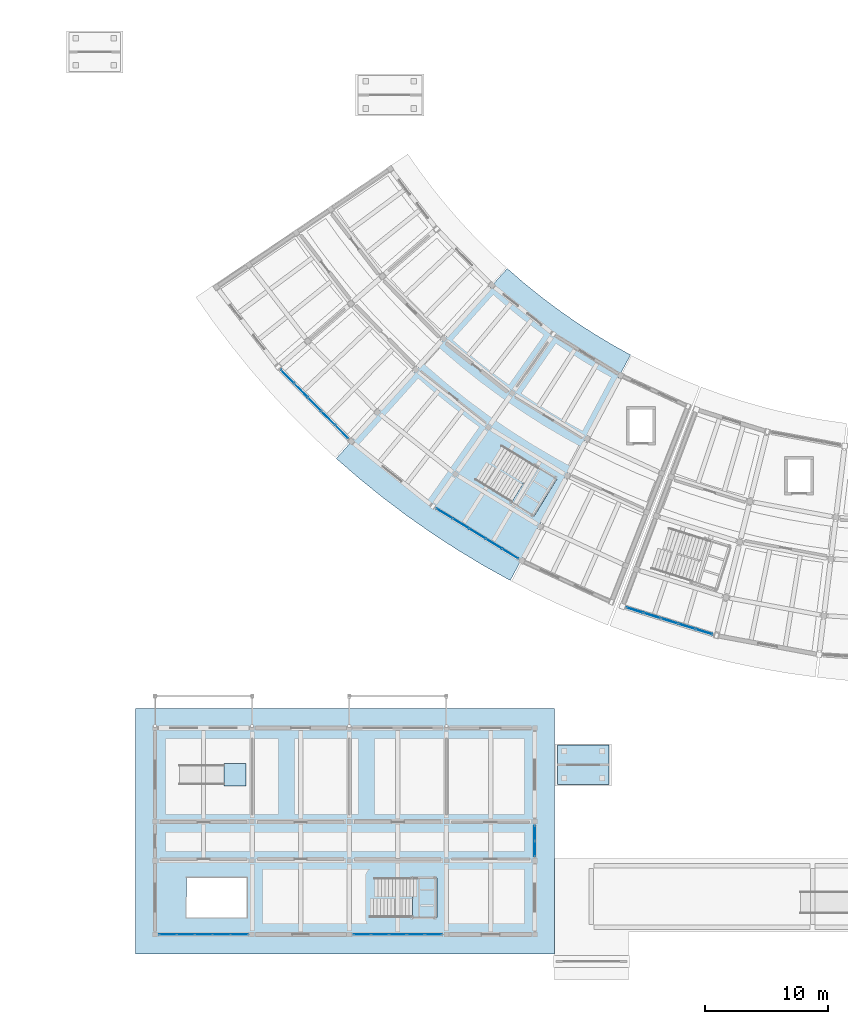
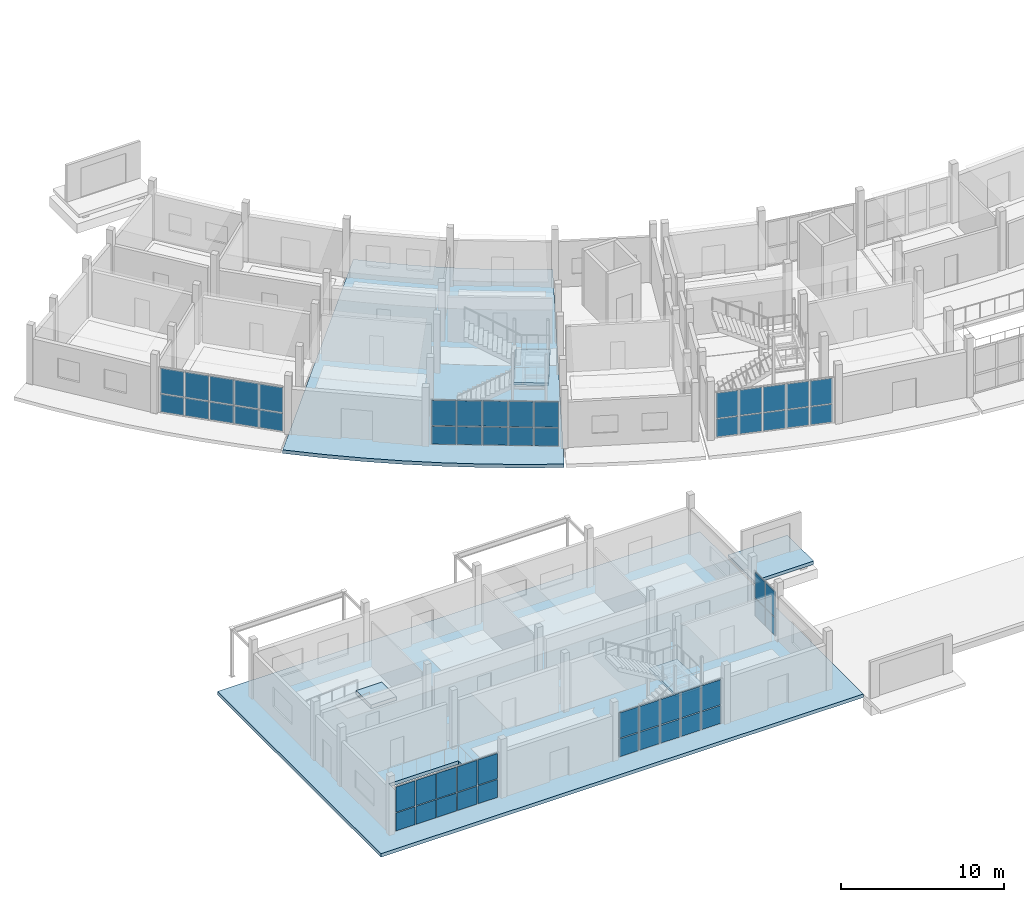
# One storey, part 50 of 92: 54 plates, 6 slabs, 8 elements without a shape of their own.
"""IFC4 building model written with IfcOpenShell, lengths in metres."""

from ifc_helpers import new_model, si_unit, direction, frame, origin, origin_2d, place, context, subcontext, project, spatial, polyline, rectangle, outline, extrude, material, layer, layer_set, type_object, element, aggregate, save


model = new_model("IFC4")

# Units and contexts
model_context = context("Model", 3, precision=1e-05, world=origin(), true_north=direction((0.0, 1.0)))
body_context = subcontext(model_context, "Body", "Model", "MODEL_VIEW")
ifc_project = project(units=[si_unit("LENGTHUNIT", "METRE"), si_unit("AREAUNIT", "SQUARE_METRE"), si_unit("VOLUMEUNIT", "CUBIC_METRE"), si_unit("PLANEANGLEUNIT", "RADIAN"), si_unit("MASSUNIT", "GRAM", prefix="KILO")], contexts=[model_context])

# Site, building, storey
site_placement = place(None, origin())
site = spatial("IfcSite", under=ifc_project, at=site_placement, CompositionType="ELEMENT")
building_placement = place(site_placement, origin())
building = spatial("IfcBuilding", under=site, at=building_placement, Name="Caldaven Crescent School", CompositionType="ELEMENT")
storey_placement = place(building_placement, origin())
storey = spatial("IfcBuildingStorey", under=building, at=storey_placement, Name="L00", CompositionType="ELEMENT", Elevation=0.0)

# Curtain wall, plates
ifc_material_1 = material(Name="Anodised aluminium AA 6063-T6 and low-E double glazing", Category="aluminium")
ifc_layer_1 = layer(ifc_material_1, 0.169921875)
ifc_layer_set_1 = layer_set([ifc_layer_1], Name="Anodised aluminium AA 6063-T6 and low-E double glazing")
curtain_wall_type_1 = type_object("IfcCurtainWallType", Name="CW-SYS1", PredefinedType="NOTDEFINED", material=ifc_layer_set_1)
curtain_wall_1_placement = place(storey_placement, origin())
curtain_wall_1 = element("IfcCurtainWall", 1, at=curtain_wall_1_placement, inside=storey, type_object=curtain_wall_type_1, Name="CW-L00-105", PredefinedType="NOTDEFINED")
ifc_material_2 = material(Name="Tempered low-E double glazing IGU", Category="glass")
ifc_layer_2 = layer(ifc_material_2, 0.0439453125)
ifc_layer_set_2 = layer_set([ifc_layer_2], Name="Tempered low-E double glazing IGU")
plate_type_1 = type_object("IfcPlateType", Name="PLT-CWP10", PredefinedType="CURTAIN_PANEL", material=ifc_layer_set_2)
plate_1_placement = place(storey_placement, frame((36.28466796875, 49.582763671875, 0.06982421875), z_axis=(0.0, 0.0, 1.0), x_axis=(0.700908932745, -0.713250774972, 0.0)))
plate_1 = element("IfcPlate", 2, at=plate_1_placement, type_object=plate_type_1, Name="CW1 panel 1.1", PredefinedType="CURTAIN_PANEL", context=body_context, shape_type="SweptSolid", body=[
    extrude(rectangle(XDim=1.48095703125, YDim=0.0439453125, at=origin_2d()), origin(), (0.0, 0.0, 1.0), 1.322998046875),
])
plate_2_placement = place(storey_placement, frame((36.28466796875, 49.582763671875, 1.462890625), z_axis=(0.0, 0.0, 1.0), x_axis=(0.700908932745, -0.713250774972, 0.0)))
plate_2 = element("IfcPlate", 3, at=plate_2_placement, type_object=plate_type_1, Name="CW1 panel 1.2", PredefinedType="CURTAIN_PANEL", context=body_context, shape_type="SweptSolid", body=[
    extrude(rectangle(XDim=1.48095703125, YDim=0.0439453125, at=origin_2d()), origin(), (0.0, 0.0, 1.0), 1.866943359375),
])
plate_3_placement = place(storey_placement, frame((37.379638671875, 48.468505859375, 0.06982421875), z_axis=(0.0, 0.0, 1.0), x_axis=(0.700908932745, -0.713250774972, 0.0)))
plate_3 = element("IfcPlate", 4, at=plate_3_placement, type_object=plate_type_1, Name="CW1 panel 2.1", PredefinedType="CURTAIN_PANEL", context=body_context, shape_type="SweptSolid", body=[
    extrude(rectangle(XDim=1.513427734375, YDim=0.0439453125, at=origin_2d()), origin(), (0.0, 0.0, 1.0), 1.322998046875),
])
plate_4_placement = place(storey_placement, frame((37.379638671875, 48.468505859375, 1.462890625), z_axis=(0.0, 0.0, 1.0), x_axis=(0.700908932745, -0.713250774972, 0.0)))
plate_4 = element("IfcPlate", 5, at=plate_4_placement, type_object=plate_type_1, Name="CW1 panel 2.2", PredefinedType="CURTAIN_PANEL", context=body_context, shape_type="SweptSolid", body=[
    extrude(rectangle(XDim=1.513427734375, YDim=0.0439453125, at=origin_2d()), origin(), (0.0, 0.0, 1.0), 1.866943359375),
])
plate_5_placement = place(storey_placement, frame((38.48583984375, 47.3427734375, 0.06982421875), z_axis=(0.0, 0.0, 1.0), x_axis=(0.700908932745, -0.713250774972, 0.0)))
plate_5 = element("IfcPlate", 6, at=plate_5_placement, type_object=plate_type_1, Name="CW1 panel 3.1", PredefinedType="CURTAIN_PANEL", context=body_context, shape_type="SweptSolid", body=[
    extrude(rectangle(XDim=1.513427734375, YDim=0.0439453125, at=origin_2d()), origin(), (0.0, 0.0, 1.0), 1.322998046875),
])
plate_6_placement = place(storey_placement, frame((38.48583984375, 47.3427734375, 1.462890625), z_axis=(0.0, 0.0, 1.0), x_axis=(0.700908932745, -0.713250774972, 0.0)))
plate_6 = element("IfcPlate", 7, at=plate_6_placement, type_object=plate_type_1, Name="CW1 panel 3.2", PredefinedType="CURTAIN_PANEL", context=body_context, shape_type="SweptSolid", body=[
    extrude(rectangle(XDim=1.513427734375, YDim=0.0439453125, at=origin_2d()), origin(), (0.0, 0.0, 1.0), 1.866943359375),
])
plate_7_placement = place(storey_placement, frame((39.59228515625, 46.216796875, 0.06982421875), z_axis=(0.0, 0.0, 1.0), x_axis=(0.700908932745, -0.713250774972, 0.0)))
plate_7 = element("IfcPlate", 8, at=plate_7_placement, type_object=plate_type_1, Name="CW1 panel 4.1", PredefinedType="CURTAIN_PANEL", context=body_context, shape_type="SweptSolid", body=[
    extrude(rectangle(XDim=1.513427734375, YDim=0.0439453125, at=origin_2d()), origin(), (0.0, 0.0, 1.0), 1.322998046875),
])
plate_8_placement = place(storey_placement, frame((39.59228515625, 46.216796875, 1.462890625), z_axis=(0.0, 0.0, 1.0), x_axis=(0.700908932745, -0.713250774972, 0.0)))
plate_8 = element("IfcPlate", 9, at=plate_8_placement, type_object=plate_type_1, Name="CW1 panel 4.2", PredefinedType="CURTAIN_PANEL", context=body_context, shape_type="SweptSolid", body=[
    extrude(rectangle(XDim=1.513427734375, YDim=0.0439453125, at=origin_2d()), origin(), (0.0, 0.0, 1.0), 1.866943359375),
])
plate_9_placement = place(storey_placement, frame((40.687255859375, 45.102783203125, 0.06982421875), z_axis=(0.0, 0.0, 1.0), x_axis=(0.700908932745, -0.713250774972, 0.0)))
plate_9 = element("IfcPlate", 10, at=plate_9_placement, type_object=plate_type_1, Name="CW1 panel 5.1", PredefinedType="CURTAIN_PANEL", context=body_context, shape_type="SweptSolid", body=[
    extrude(rectangle(XDim=1.48095703125, YDim=0.0439453125, at=origin_2d()), origin(), (0.0, 0.0, 1.0), 1.322998046875),
])
plate_10_placement = place(storey_placement, frame((40.687255859375, 45.102783203125, 1.462890625), z_axis=(0.0, 0.0, 1.0), x_axis=(0.700908932745, -0.713250774972, 0.0)))
plate_10 = element("IfcPlate", 11, at=plate_10_placement, type_object=plate_type_1, Name="CW1 panel 5.2", PredefinedType="CURTAIN_PANEL", context=body_context, shape_type="SweptSolid", body=[
    extrude(rectangle(XDim=1.48095703125, YDim=0.0439453125, at=origin_2d()), origin(), (0.0, 0.0, 1.0), 1.866943359375),
])
aggregate(curtain_wall_1, [plate_1, plate_2, plate_3, plate_4, plate_5, plate_6, plate_7, plate_8, plate_9, plate_10])

ifc_layer_3 = layer(ifc_material_1, 0.2099609375)
ifc_layer_set_3 = layer_set([ifc_layer_3], Name="Anodised aluminium AA 6063-T6 and low-E double glazing")
curtain_wall_type_2 = type_object("IfcCurtainWallType", Name="CW-SYS3", PredefinedType="NOTDEFINED", material=ifc_layer_set_3)
curtain_wall_2_placement = place(storey_placement, origin())
curtain_wall_2 = element("IfcCurtainWall", 12, at=curtain_wall_2_placement, inside=storey, type_object=curtain_wall_type_2, Name="CW-L00-106", PredefinedType="NOTDEFINED")
ifc_layer_4 = layer(ifc_material_2, 0.0458984375)
ifc_layer_set_4 = layer_set([ifc_layer_4], Name="Tempered low-E double glazing IGU")
plate_type_2 = type_object("IfcPlateType", Name="PLT-CWP11", PredefinedType="CURTAIN_PANEL", material=ifc_layer_set_4)
plate_11_placement = place(storey_placement, frame((49.04931640625, 38.450927734375, 0.06005859375), z_axis=(0.0, 0.0, 1.0), x_axis=(0.852639676124, -0.522499361435, 0.0)))
plate_11 = element("IfcPlate", 13, at=plate_11_placement, type_object=plate_type_2, Name="CW3 panel 1.1", PredefinedType="CURTAIN_PANEL", context=body_context, shape_type="SweptSolid", body=[
    extrude(rectangle(XDim=1.48828125, YDim=0.0458984375, at=origin_2d()), origin(), (0.0, 0.0, 1.0), 1.337890625),
])
plate_12_placement = place(storey_placement, frame((49.04931640625, 38.450927734375, 1.4580078125), z_axis=(0.0, 0.0, 1.0), x_axis=(0.852639676124, -0.522499361435, 0.0)))
plate_12 = element("IfcPlate", 14, at=plate_12_placement, type_object=plate_type_2, Name="CW3 panel 1.2", PredefinedType="CURTAIN_PANEL", context=body_context, shape_type="SweptSolid", body=[
    extrude(rectangle(XDim=1.48828125, YDim=0.0458984375, at=origin_2d()), origin(), (0.0, 0.0, 1.0), 1.882080078125),
])
plate_13_placement = place(storey_placement, frame((50.38232421875, 37.63427734375, 0.06005859375), z_axis=(0.0, 0.0, 1.0), x_axis=(0.852639676124, -0.522499361435, 0.0)))
plate_13 = element("IfcPlate", 15, at=plate_13_placement, type_object=plate_type_2, Name="CW3 panel 2.1", PredefinedType="CURTAIN_PANEL", context=body_context, shape_type="SweptSolid", body=[
    extrude(rectangle(XDim=1.518310546875, YDim=0.0458984375, at=origin_2d()), origin(), (0.0, 0.0, 1.0), 1.337890625),
])
plate_14_placement = place(storey_placement, frame((50.38232421875, 37.63427734375, 1.4580078125), z_axis=(0.0, 0.0, 1.0), x_axis=(0.852639676124, -0.522499361435, 0.0)))
plate_14 = element("IfcPlate", 16, at=plate_14_placement, type_object=plate_type_2, Name="CW3 panel 2.2", PredefinedType="CURTAIN_PANEL", context=body_context, shape_type="SweptSolid", body=[
    extrude(rectangle(XDim=1.518310546875, YDim=0.0458984375, at=origin_2d()), origin(), (0.0, 0.0, 1.0), 1.882080078125),
])
plate_15_placement = place(storey_placement, frame((51.72802734375, 36.8095703125, 0.06005859375), z_axis=(0.0, 0.0, 1.0), x_axis=(0.852639676124, -0.522499361435, 0.0)))
plate_15 = element("IfcPlate", 17, at=plate_15_placement, type_object=plate_type_2, Name="CW3 panel 3.1", PredefinedType="CURTAIN_PANEL", context=body_context, shape_type="SweptSolid", body=[
    extrude(rectangle(XDim=1.518310546875, YDim=0.0458984375, at=origin_2d()), origin(), (0.0, 0.0, 1.0), 1.337890625),
])
plate_16_placement = place(storey_placement, frame((51.72802734375, 36.8095703125, 1.4580078125), z_axis=(0.0, 0.0, 1.0), x_axis=(0.852639676124, -0.522499361435, 0.0)))
plate_16 = element("IfcPlate", 18, at=plate_16_placement, type_object=plate_type_2, Name="CW3 panel 3.2", PredefinedType="CURTAIN_PANEL", context=body_context, shape_type="SweptSolid", body=[
    extrude(rectangle(XDim=1.518310546875, YDim=0.0458984375, at=origin_2d()), origin(), (0.0, 0.0, 1.0), 1.882080078125),
])
plate_17_placement = place(storey_placement, frame((53.07373046875, 35.98486328125, 0.06005859375), z_axis=(0.0, 0.0, 1.0), x_axis=(0.852639676124, -0.522499361435, 0.0)))
plate_17 = element("IfcPlate", 19, at=plate_17_placement, type_object=plate_type_2, Name="CW3 panel 4.1", PredefinedType="CURTAIN_PANEL", context=body_context, shape_type="SweptSolid", body=[
    extrude(rectangle(XDim=1.518310546875, YDim=0.0458984375, at=origin_2d()), origin(), (0.0, 0.0, 1.0), 1.337890625),
])
plate_18_placement = place(storey_placement, frame((53.07373046875, 35.98486328125, 1.4580078125), z_axis=(0.0, 0.0, 1.0), x_axis=(0.852639676124, -0.522499361435, 0.0)))
plate_18 = element("IfcPlate", 20, at=plate_18_placement, type_object=plate_type_2, Name="CW3 panel 4.2", PredefinedType="CURTAIN_PANEL", context=body_context, shape_type="SweptSolid", body=[
    extrude(rectangle(XDim=1.518310546875, YDim=0.0458984375, at=origin_2d()), origin(), (0.0, 0.0, 1.0), 1.882080078125),
])
plate_19_placement = place(storey_placement, frame((54.40673828125, 35.16796875, 0.06005859375), z_axis=(0.0, 0.0, 1.0), x_axis=(0.852639676124, -0.522499361435, 0.0)))
plate_19 = element("IfcPlate", 21, at=plate_19_placement, type_object=plate_type_2, Name="CW3 panel 5.1", PredefinedType="CURTAIN_PANEL", context=body_context, shape_type="SweptSolid", body=[
    extrude(rectangle(XDim=1.48828125, YDim=0.0458984375, at=origin_2d()), origin(), (0.0, 0.0, 1.0), 1.337890625),
])
plate_20_placement = place(storey_placement, frame((54.40673828125, 35.16796875, 1.4580078125), z_axis=(0.0, 0.0, 1.0), x_axis=(0.852639676124, -0.522499361435, 0.0)))
plate_20 = element("IfcPlate", 22, at=plate_20_placement, type_object=plate_type_2, Name="CW3 panel 5.2", PredefinedType="CURTAIN_PANEL", context=body_context, shape_type="SweptSolid", body=[
    extrude(rectangle(XDim=1.48828125, YDim=0.0458984375, at=origin_2d()), origin(), (0.0, 0.0, 1.0), 1.882080078125),
])
aggregate(curtain_wall_2, [plate_11, plate_12, plate_13, plate_14, plate_15, plate_16, plate_17, plate_18, plate_19, plate_20])

curtain_wall_3_placement = place(storey_placement, origin())
curtain_wall_3 = element("IfcCurtainWall", 23, at=curtain_wall_3_placement, inside=storey, type_object=curtain_wall_type_1, Name="CW-L00-107", PredefinedType="NOTDEFINED")
ifc_layer_5 = layer(ifc_material_2, 0.048095703125)
ifc_layer_set_5 = layer_set([ifc_layer_5], Name="Tempered low-E double glazing IGU")
plate_type_3 = type_object("IfcPlateType", Name="PLT-CWP12", PredefinedType="CURTAIN_PANEL", material=ifc_layer_set_5)
plate_21_placement = place(storey_placement, frame((64.5341796875, 30.58447265625, 0.06494140625), z_axis=(0.0, 0.0, 1.0), x_axis=(0.954746673802, -0.297420222689, 0.0)))
plate_21 = element("IfcPlate", 24, at=plate_21_placement, type_object=plate_type_3, Name="CW1 panel 1.1", PredefinedType="CURTAIN_PANEL", context=body_context, shape_type="SweptSolid", body=[
    extrude(rectangle(XDim=1.377685546875, YDim=0.048095703125, at=origin_2d()), origin(), (0.0, 0.0, 1.0), 1.33056640625),
])
plate_22_placement = place(storey_placement, frame((64.5341796875, 30.58447265625, 1.46044921875), z_axis=(0.0, 0.0, 1.0), x_axis=(0.954746673802, -0.297420222689, 0.0)))
plate_22 = element("IfcPlate", 25, at=plate_22_placement, type_object=plate_type_3, Name="CW1 panel 1.2", PredefinedType="CURTAIN_PANEL", context=body_context, shape_type="SweptSolid", body=[
    extrude(rectangle(XDim=1.377685546875, YDim=0.048095703125, at=origin_2d()), origin(), (0.0, 0.0, 1.0), 1.87451171875),
])
plate_23_placement = place(storey_placement, frame((65.93310546875, 30.148681640625, 0.06494140625), z_axis=(0.0, 0.0, 1.0), x_axis=(0.954746673802, -0.297420222689, 0.0)))
plate_23 = element("IfcPlate", 26, at=plate_23_placement, type_object=plate_type_3, Name="CW1 panel 2.1", PredefinedType="CURTAIN_PANEL", context=body_context, shape_type="SweptSolid", body=[
    extrude(rectangle(XDim=1.412841796875, YDim=0.048095703125, at=origin_2d()), origin(), (0.0, 0.0, 1.0), 1.33056640625),
])
plate_24_placement = place(storey_placement, frame((65.93310546875, 30.148681640625, 1.46044921875), z_axis=(0.0, 0.0, 1.0), x_axis=(0.954746673802, -0.297420222689, 0.0)))
plate_24 = element("IfcPlate", 27, at=plate_24_placement, type_object=plate_type_3, Name="CW1 panel 2.2", PredefinedType="CURTAIN_PANEL", context=body_context, shape_type="SweptSolid", body=[
    extrude(rectangle(XDim=1.412841796875, YDim=0.048095703125, at=origin_2d()), origin(), (0.0, 0.0, 1.0), 1.87451171875),
])
plate_25_placement = place(storey_placement, frame((67.3486328125, 29.707763671875, 0.06494140625), z_axis=(0.0, 0.0, 1.0), x_axis=(0.954746673802, -0.297420222689, 0.0)))
plate_25 = element("IfcPlate", 28, at=plate_25_placement, type_object=plate_type_3, Name="CW1 panel 3.1", PredefinedType="CURTAIN_PANEL", context=body_context, shape_type="SweptSolid", body=[
    extrude(rectangle(XDim=1.412841796875, YDim=0.048095703125, at=origin_2d()), origin(), (0.0, 0.0, 1.0), 1.33056640625),
])
plate_26_placement = place(storey_placement, frame((67.3486328125, 29.707763671875, 1.46044921875), z_axis=(0.0, 0.0, 1.0), x_axis=(0.954746673802, -0.297420222689, 0.0)))
plate_26 = element("IfcPlate", 29, at=plate_26_placement, type_object=plate_type_3, Name="CW1 panel 3.2", PredefinedType="CURTAIN_PANEL", context=body_context, shape_type="SweptSolid", body=[
    extrude(rectangle(XDim=1.412841796875, YDim=0.048095703125, at=origin_2d()), origin(), (0.0, 0.0, 1.0), 1.87451171875),
])
plate_27_placement = place(storey_placement, frame((68.764404296875, 29.2666015625, 0.06494140625), z_axis=(0.0, 0.0, 1.0), x_axis=(0.954746673802, -0.297420222689, 0.0)))
plate_27 = element("IfcPlate", 30, at=plate_27_placement, type_object=plate_type_3, Name="CW1 panel 4.1", PredefinedType="CURTAIN_PANEL", context=body_context, shape_type="SweptSolid", body=[
    extrude(rectangle(XDim=1.412841796875, YDim=0.048095703125, at=origin_2d()), origin(), (0.0, 0.0, 1.0), 1.33056640625),
])
plate_28_placement = place(storey_placement, frame((68.764404296875, 29.2666015625, 1.46044921875), z_axis=(0.0, 0.0, 1.0), x_axis=(0.954746673802, -0.297420222689, 0.0)))
plate_28 = element("IfcPlate", 31, at=plate_28_placement, type_object=plate_type_3, Name="CW1 panel 4.2", PredefinedType="CURTAIN_PANEL", context=body_context, shape_type="SweptSolid", body=[
    extrude(rectangle(XDim=1.412841796875, YDim=0.048095703125, at=origin_2d()), origin(), (0.0, 0.0, 1.0), 1.87451171875),
])
plate_29_placement = place(storey_placement, frame((70.163330078125, 28.830810546875, 0.06494140625), z_axis=(0.0, 0.0, 1.0), x_axis=(0.954746673802, -0.297420222689, 0.0)))
plate_29 = element("IfcPlate", 32, at=plate_29_placement, type_object=plate_type_3, Name="CW1 panel 5.1", PredefinedType="CURTAIN_PANEL", context=body_context, shape_type="SweptSolid", body=[
    extrude(rectangle(XDim=1.377685546875, YDim=0.048095703125, at=origin_2d()), origin(), (0.0, 0.0, 1.0), 1.33056640625),
])
plate_30_placement = place(storey_placement, frame((70.163330078125, 28.830810546875, 1.46044921875), z_axis=(0.0, 0.0, 1.0), x_axis=(0.954746673802, -0.297420222689, 0.0)))
plate_30 = element("IfcPlate", 33, at=plate_30_placement, type_object=plate_type_3, Name="CW1 panel 5.2", PredefinedType="CURTAIN_PANEL", context=body_context, shape_type="SweptSolid", body=[
    extrude(rectangle(XDim=1.377685546875, YDim=0.048095703125, at=origin_2d()), origin(), (0.0, 0.0, 1.0), 1.87451171875),
])
aggregate(curtain_wall_3, [plate_21, plate_22, plate_23, plate_24, plate_25, plate_26, plate_27, plate_28, plate_29, plate_30])

curtain_wall_4_placement = place(storey_placement, origin())
curtain_wall_4 = element("IfcCurtainWall", 34, at=curtain_wall_4_placement, inside=storey, type_object=curtain_wall_type_1, Name="CW-L00-090", PredefinedType="NOTDEFINED")
ifc_material_3 = material(Name="Insulated bronze aluminium spandrel panel", Category="aluminium")
ifc_layer_6 = layer(ifc_material_3, 0.06201171875)
ifc_layer_set_6 = layer_set([ifc_layer_6], Name="Insulated bronze aluminium spandrel panel")
plate_type_4 = type_object("IfcPlateType", Name="PLT-CWP19", PredefinedType="CURTAIN_PANEL", material=ifc_layer_set_6)
plate_31_placement = place(storey_placement, frame((26.544921875, 4.199951171875, 0.06005859375), z_axis=(0.0, 0.0, 1.0), x_axis=(1.0, 0.0, 0.0)))
plate_31 = element("IfcPlate", 35, at=plate_31_placement, type_object=plate_type_4, Name="CW1 panel 1.1", PredefinedType="CURTAIN_PANEL", context=body_context, shape_type="SweptSolid", body=[
    extrude(rectangle(XDim=1.3701171875, YDim=0.06201171875, at=origin_2d()), origin(), (0.0, 0.0, 1.0), 1.337890625),
])
plate_32_placement = place(storey_placement, frame((26.544921875, 4.199951171875, 1.4580078125), z_axis=(0.0, 0.0, 1.0), x_axis=(1.0, 0.0, 0.0)))
plate_32 = element("IfcPlate", 36, at=plate_32_placement, type_object=plate_type_4, Name="CW1 panel 1.2", PredefinedType="CURTAIN_PANEL", context=body_context, shape_type="SweptSolid", body=[
    extrude(rectangle(XDim=1.3701171875, YDim=0.06201171875, at=origin_2d()), origin(), (0.0, 0.0, 1.0), 1.882080078125),
])
plate_33_placement = place(storey_placement, frame((27.989990234375, 4.199951171875, 0.06005859375), z_axis=(0.0, 0.0, 1.0), x_axis=(1.0, 0.0, 0.0)))
plate_33 = element("IfcPlate", 37, at=plate_33_placement, type_object=plate_type_4, Name="CW1 panel 2.1", PredefinedType="CURTAIN_PANEL", context=body_context, shape_type="SweptSolid", body=[
    extrude(rectangle(XDim=1.39990234375, YDim=0.06201171875, at=origin_2d()), origin(), (0.0, 0.0, 1.0), 1.337890625),
])
plate_34_placement = place(storey_placement, frame((27.989990234375, 4.199951171875, 1.4580078125), z_axis=(0.0, 0.0, 1.0), x_axis=(1.0, 0.0, 0.0)))
plate_34 = element("IfcPlate", 38, at=plate_34_placement, type_object=plate_type_4, Name="CW1 panel 2.2", PredefinedType="CURTAIN_PANEL", context=body_context, shape_type="SweptSolid", body=[
    extrude(rectangle(XDim=1.39990234375, YDim=0.06201171875, at=origin_2d()), origin(), (0.0, 0.0, 1.0), 1.882080078125),
])
plate_35_placement = place(storey_placement, frame((29.449951171875, 4.199951171875, 0.06005859375), z_axis=(0.0, 0.0, 1.0), x_axis=(1.0, 0.0, 0.0)))
plate_35 = element("IfcPlate", 39, at=plate_35_placement, type_object=plate_type_4, Name="CW1 panel 3.1", PredefinedType="CURTAIN_PANEL", context=body_context, shape_type="SweptSolid", body=[
    extrude(rectangle(XDim=1.39990234375, YDim=0.06201171875, at=origin_2d()), origin(), (0.0, 0.0, 1.0), 1.337890625),
])
plate_36_placement = place(storey_placement, frame((29.449951171875, 4.199951171875, 1.4580078125), z_axis=(0.0, 0.0, 1.0), x_axis=(1.0, 0.0, 0.0)))
plate_36 = element("IfcPlate", 40, at=plate_36_placement, type_object=plate_type_4, Name="CW1 panel 3.2", PredefinedType="CURTAIN_PANEL", context=body_context, shape_type="SweptSolid", body=[
    extrude(rectangle(XDim=1.39990234375, YDim=0.06201171875, at=origin_2d()), origin(), (0.0, 0.0, 1.0), 1.882080078125),
])
plate_37_placement = place(storey_placement, frame((30.909912109375, 4.199951171875, 0.06005859375), z_axis=(0.0, 0.0, 1.0), x_axis=(1.0, 0.0, 0.0)))
plate_37 = element("IfcPlate", 41, at=plate_37_placement, type_object=plate_type_4, Name="CW1 panel 4.1", PredefinedType="CURTAIN_PANEL", context=body_context, shape_type="SweptSolid", body=[
    extrude(rectangle(XDim=1.39990234375, YDim=0.06201171875, at=origin_2d()), origin(), (0.0, 0.0, 1.0), 1.337890625),
])
plate_38_placement = place(storey_placement, frame((30.909912109375, 4.199951171875, 1.4580078125), z_axis=(0.0, 0.0, 1.0), x_axis=(1.0, 0.0, 0.0)))
plate_38 = element("IfcPlate", 42, at=plate_38_placement, type_object=plate_type_4, Name="CW1 panel 4.2", PredefinedType="CURTAIN_PANEL", context=body_context, shape_type="SweptSolid", body=[
    extrude(rectangle(XDim=1.39990234375, YDim=0.06201171875, at=origin_2d()), origin(), (0.0, 0.0, 1.0), 1.882080078125),
])
plate_39_placement = place(storey_placement, frame((32.35498046875, 4.199951171875, 0.06005859375), z_axis=(0.0, 0.0, 1.0), x_axis=(1.0, 0.0, 0.0)))
plate_39 = element("IfcPlate", 43, at=plate_39_placement, type_object=plate_type_4, Name="CW1 panel 5.1", PredefinedType="CURTAIN_PANEL", context=body_context, shape_type="SweptSolid", body=[
    extrude(rectangle(XDim=1.3701171875, YDim=0.06201171875, at=origin_2d()), origin(), (0.0, 0.0, 1.0), 1.337890625),
])
plate_40_placement = place(storey_placement, frame((32.35498046875, 4.199951171875, 1.4580078125), z_axis=(0.0, 0.0, 1.0), x_axis=(1.0, 0.0, 0.0)))
plate_40 = element("IfcPlate", 44, at=plate_40_placement, type_object=plate_type_4, Name="CW1 panel 5.2", PredefinedType="CURTAIN_PANEL", context=body_context, shape_type="SweptSolid", body=[
    extrude(rectangle(XDim=1.3701171875, YDim=0.06201171875, at=origin_2d()), origin(), (0.0, 0.0, 1.0), 1.882080078125),
])
aggregate(curtain_wall_4, [plate_31, plate_32, plate_33, plate_34, plate_35, plate_36, plate_37, plate_38, plate_39, plate_40])

curtain_wall_5_placement = place(storey_placement, origin())
curtain_wall_5 = element("IfcCurtainWall", 45, at=curtain_wall_5_placement, inside=storey, type_object=curtain_wall_type_2, Name="CW-L00-091", PredefinedType="NOTDEFINED")
ifc_layer_7 = layer(ifc_material_3, 0.06396484375)
ifc_layer_set_7 = layer_set([ifc_layer_7], Name="Insulated bronze aluminium spandrel panel")
plate_type_5 = type_object("IfcPlateType", Name="PLT-CWP20", PredefinedType="CURTAIN_PANEL", material=ifc_layer_set_7)
plate_41_placement = place(storey_placement, frame((42.347412109375, 4.199951171875, 0.06494140625), z_axis=(0.0, 0.0, 1.0), x_axis=(1.0, 0.0, 0.0)))
plate_41 = element("IfcPlate", 46, at=plate_41_placement, type_object=plate_type_5, Name="CW3 panel 1.1", PredefinedType="CURTAIN_PANEL", context=body_context, shape_type="SweptSolid", body=[
    extrude(rectangle(XDim=1.35498046875, YDim=0.06396484375, at=origin_2d()), origin(), (0.0, 0.0, 1.0), 1.33056640625),
])
plate_42_placement = place(storey_placement, frame((42.347412109375, 4.199951171875, 1.46044921875), z_axis=(0.0, 0.0, 1.0), x_axis=(1.0, 0.0, 0.0)))
plate_42 = element("IfcPlate", 47, at=plate_42_placement, type_object=plate_type_5, Name="CW3 panel 1.2", PredefinedType="CURTAIN_PANEL", context=body_context, shape_type="SweptSolid", body=[
    extrude(rectangle(XDim=1.35498046875, YDim=0.06396484375, at=origin_2d()), origin(), (0.0, 0.0, 1.0), 1.87451171875),
])
plate_43_placement = place(storey_placement, frame((43.7900390625, 4.199951171875, 0.06494140625), z_axis=(0.0, 0.0, 1.0), x_axis=(1.0, 0.0, 0.0)))
plate_43 = element("IfcPlate", 48, at=plate_43_placement, type_object=plate_type_5, Name="CW3 panel 2.1", PredefinedType="CURTAIN_PANEL", context=body_context, shape_type="SweptSolid", body=[
    extrude(rectangle(XDim=1.389892578125, YDim=0.06396484375, at=origin_2d()), origin(), (0.0, 0.0, 1.0), 1.33056640625),
])
plate_44_placement = place(storey_placement, frame((43.7900390625, 4.199951171875, 1.46044921875), z_axis=(0.0, 0.0, 1.0), x_axis=(1.0, 0.0, 0.0)))
plate_44 = element("IfcPlate", 49, at=plate_44_placement, type_object=plate_type_5, Name="CW3 panel 2.2", PredefinedType="CURTAIN_PANEL", context=body_context, shape_type="SweptSolid", body=[
    extrude(rectangle(XDim=1.389892578125, YDim=0.06396484375, at=origin_2d()), origin(), (0.0, 0.0, 1.0), 1.87451171875),
])
plate_45_placement = place(storey_placement, frame((45.25, 4.199951171875, 0.06494140625), z_axis=(0.0, 0.0, 1.0), x_axis=(1.0, 0.0, 0.0)))
plate_45 = element("IfcPlate", 50, at=plate_45_placement, type_object=plate_type_5, Name="CW3 panel 3.1", PredefinedType="CURTAIN_PANEL", context=body_context, shape_type="SweptSolid", body=[
    extrude(rectangle(XDim=1.389892578125, YDim=0.06396484375, at=origin_2d()), origin(), (0.0, 0.0, 1.0), 1.33056640625),
])
plate_46_placement = place(storey_placement, frame((45.25, 4.199951171875, 1.46044921875), z_axis=(0.0, 0.0, 1.0), x_axis=(1.0, 0.0, 0.0)))
plate_46 = element("IfcPlate", 51, at=plate_46_placement, type_object=plate_type_5, Name="CW3 panel 3.2", PredefinedType="CURTAIN_PANEL", context=body_context, shape_type="SweptSolid", body=[
    extrude(rectangle(XDim=1.389892578125, YDim=0.06396484375, at=origin_2d()), origin(), (0.0, 0.0, 1.0), 1.87451171875),
])
plate_47_placement = place(storey_placement, frame((46.7099609375, 4.199951171875, 0.06494140625), z_axis=(0.0, 0.0, 1.0), x_axis=(1.0, 0.0, 0.0)))
plate_47 = element("IfcPlate", 52, at=plate_47_placement, type_object=plate_type_5, Name="CW3 panel 4.1", PredefinedType="CURTAIN_PANEL", context=body_context, shape_type="SweptSolid", body=[
    extrude(rectangle(XDim=1.389892578125, YDim=0.06396484375, at=origin_2d()), origin(), (0.0, 0.0, 1.0), 1.33056640625),
])
plate_48_placement = place(storey_placement, frame((46.7099609375, 4.199951171875, 1.46044921875), z_axis=(0.0, 0.0, 1.0), x_axis=(1.0, 0.0, 0.0)))
plate_48 = element("IfcPlate", 53, at=plate_48_placement, type_object=plate_type_5, Name="CW3 panel 4.2", PredefinedType="CURTAIN_PANEL", context=body_context, shape_type="SweptSolid", body=[
    extrude(rectangle(XDim=1.389892578125, YDim=0.06396484375, at=origin_2d()), origin(), (0.0, 0.0, 1.0), 1.87451171875),
])
plate_49_placement = place(storey_placement, frame((48.152587890625, 4.199951171875, 0.06494140625), z_axis=(0.0, 0.0, 1.0), x_axis=(1.0, 0.0, 0.0)))
plate_49 = element("IfcPlate", 54, at=plate_49_placement, type_object=plate_type_5, Name="CW3 panel 5.1", PredefinedType="CURTAIN_PANEL", context=body_context, shape_type="SweptSolid", body=[
    extrude(rectangle(XDim=1.35498046875, YDim=0.06396484375, at=origin_2d()), origin(), (0.0, 0.0, 1.0), 1.33056640625),
])
plate_50_placement = place(storey_placement, frame((48.152587890625, 4.199951171875, 1.46044921875), z_axis=(0.0, 0.0, 1.0), x_axis=(1.0, 0.0, 0.0)))
plate_50 = element("IfcPlate", 55, at=plate_50_placement, type_object=plate_type_5, Name="CW3 panel 5.2", PredefinedType="CURTAIN_PANEL", context=body_context, shape_type="SweptSolid", body=[
    extrude(rectangle(XDim=1.35498046875, YDim=0.06396484375, at=origin_2d()), origin(), (0.0, 0.0, 1.0), 1.87451171875),
])
aggregate(curtain_wall_5, [plate_41, plate_42, plate_43, plate_44, plate_45, plate_46, plate_47, plate_48, plate_49, plate_50])

curtain_wall_6_placement = place(storey_placement, origin())
curtain_wall_6 = element("IfcCurtainWall", 56, at=curtain_wall_6_placement, inside=storey, type_object=curtain_wall_type_2, Name="CW-L00-092", PredefinedType="NOTDEFINED")
ifc_layer_8 = layer(ifc_material_3, 0.06591796875)
ifc_layer_set_8 = layer_set([ifc_layer_8], Name="Insulated bronze aluminium spandrel panel")
plate_type_6 = type_object("IfcPlateType", Name="PLT-CWP21", PredefinedType="CURTAIN_PANEL", material=ifc_layer_set_8)
plate_51_placement = place(storey_placement, frame((56.39990234375, 11.16748046875, 0.06494140625), z_axis=(0.0, 0.0, 1.0), x_axis=(0.0, 1.0, 0.0)))
plate_51 = element("IfcPlate", 57, at=plate_51_placement, type_object=plate_type_6, Name="CW3 panel 1.1", PredefinedType="CURTAIN_PANEL", context=body_context, shape_type="SweptSolid", body=[
    extrude(rectangle(XDim=1.195068359375, YDim=0.06591796875, at=origin_2d()), origin(), (0.0, 0.0, 1.0), 1.33056640625),
])
plate_52_placement = place(storey_placement, frame((56.39990234375, 11.16748046875, 1.46044921875), z_axis=(0.0, 0.0, 1.0), x_axis=(0.0, 1.0, 0.0)))
plate_52 = element("IfcPlate", 58, at=plate_52_placement, type_object=plate_type_6, Name="CW3 panel 1.2", PredefinedType="CURTAIN_PANEL", context=body_context, shape_type="SweptSolid", body=[
    extrude(rectangle(XDim=1.195068359375, YDim=0.06591796875, at=origin_2d()), origin(), (0.0, 0.0, 1.0), 1.87451171875),
])
plate_53_placement = place(storey_placement, frame((56.39990234375, 12.4326171875, 0.06494140625), z_axis=(0.0, 0.0, 1.0), x_axis=(0.0, 1.0, 0.0)))
plate_53 = element("IfcPlate", 59, at=plate_53_placement, type_object=plate_type_6, Name="CW3 panel 2.1", PredefinedType="CURTAIN_PANEL", context=body_context, shape_type="SweptSolid", body=[
    extrude(rectangle(XDim=1.195068359375, YDim=0.06591796875, at=origin_2d()), origin(), (0.0, 0.0, 1.0), 1.33056640625),
])
plate_54_placement = place(storey_placement, frame((56.39990234375, 12.4326171875, 1.46044921875), z_axis=(0.0, 0.0, 1.0), x_axis=(0.0, 1.0, 0.0)))
plate_54 = element("IfcPlate", 60, at=plate_54_placement, type_object=plate_type_6, Name="CW3 panel 2.2", PredefinedType="CURTAIN_PANEL", context=body_context, shape_type="SweptSolid", body=[
    extrude(rectangle(XDim=1.195068359375, YDim=0.06591796875, at=origin_2d()), origin(), (0.0, 0.0, 1.0), 1.87451171875),
])
aggregate(curtain_wall_6, [plate_51, plate_52, plate_53, plate_54])

# Slabs
ifc_material_4 = material(Name="Concrete C30/37", Category="concrete")
ifc_layer_9 = layer(ifc_material_4, 0.239990234375)
ifc_layer_set_9 = layer_set([ifc_layer_9], Name="Concrete C30/37")
slab_type_1 = type_object("IfcSlabType", Name="SLB-BS2", PredefinedType="BASESLAB", material=ifc_layer_set_9)
slab_1_placement = place(storey_placement, frame((0.0, 0.0, -0.239990234375)))
element("IfcSlab", 61, at=slab_1_placement, inside=storey, type_object=slab_type_1, Name="SLB-GATE-CG3", PredefinedType="BASESLAB", context=body_context, shape_type="SweptSolid", body=[
    extrude(outline(polyline([(58.25, 16.39990234375), (62.449951171875, 16.39990234375), (62.449951171875, 19.60009765625), (58.25, 19.60009765625), (58.25, 16.39990234375)])), origin(), (0.0, 0.0, 1.0), 0.239990234375),
])
ifc_material_5 = material(Name="Concrete C35/45", Category="concrete")
ifc_layer_10 = layer(ifc_material_5, 0.260009765625)
ifc_layer_set_10 = layer_set([ifc_layer_10], Name="Concrete C35/45")
slab_type_2 = type_object("IfcSlabType", Name="SLB-FS1", PredefinedType="FLOOR", material=ifc_layer_set_10)
slab_2_placement = place(storey_placement, frame((0.0, 0.0, -0.260009765625)))
element("IfcSlab", 62, at=slab_2_placement, inside=storey, type_object=slab_type_2, Name="SLB-V4S-L00", PredefinedType="FLOOR", context=body_context, shape_type="SweptSolid", body=[
    extrude(outline(polyline([(23.89990234375, 2.60009765625), (58.0, 2.60009765625), (58.0, 22.60009765625), (23.89990234375, 22.60009765625), (23.89990234375, 2.60009765625)]), holes=[polyline([(28.05810546875, 5.580078125), (28.05810546875, 8.820068359375), (32.9599609375, 8.820068359375), (32.9599609375, 5.580078125), (28.05810546875, 5.580078125)])]), origin(), (0.0, 0.0, 1.0), 0.260009765625),
])
slab_3_placement = place(storey_placement, frame((0.0, 0.0, -0.260009765625)))
element("IfcSlab", 63, at=slab_3_placement, inside=storey, type_object=slab_type_2, Name="SLB-V4W-L00-B02", PredefinedType="FLOOR", context=body_context, shape_type="SweptSolid", body=[
    extrude(outline(polyline([(40.241455078125, 42.923828125), (42.11083984375, 41.299560546875), (44.03515625, 39.7412109375), (46.012451171875, 38.25048828125), (48.040283203125, 36.8291015625), (50.1162109375, 35.47900390625), (52.23779296875, 34.20166015625), (54.40234375, 32.998779296875), (64.18994140625, 51.35205078125), (62.656005859375, 52.20458984375), (61.15234375, 53.10986328125), (59.68115234375, 54.066650390625), (58.244140625, 55.07373046875), (56.8427734375, 56.13037109375), (55.47900390625, 57.234619140625), (54.154296875, 58.3857421875), (40.241455078125, 42.923828125)])), origin(), (0.0, 0.0, 1.0), 0.260009765625),
])

# Stair, slab
ifc_material_6 = material(Name="Precast concrete C30/37", Category="concrete")
stair_type_1 = type_object("IfcStairType", Name="STR-S3", PredefinedType="TWO_STRAIGHT_RUN_STAIR", material=ifc_material_6)
stair_1_placement = place(storey_placement, origin())
stair_1 = element("IfcStair", 64, at=stair_1_placement, inside=storey, type_object=stair_type_1, Name="STAIR-STV4S-L00", PredefinedType="TWO_STRAIGHT_RUN_STAIR")
ifc_layer_11 = layer(ifc_material_4, 0.195068359375)
ifc_layer_set_11 = layer_set([ifc_layer_11], Name="Concrete C30/37")
slab_type_3 = type_object("IfcSlabType", Name="SLB-LND2", PredefinedType="LANDING", material=ifc_layer_set_11)
slab_4_placement = place(storey_placement, frame((0.0, 0.0, 2.014892578125)))
slab_4 = element("IfcSlab", 65, at=slab_4_placement, type_object=slab_type_3, Name="STV4S-L00 landing 1", PredefinedType="LANDING", context=body_context, shape_type="SweptSolid", body=[
    extrude(outline(polyline([(46.44189453125, 5.590087890625), (48.429931640625, 5.590087890625), (48.429931640625, 8.81005859375), (46.44189453125, 8.81005859375), (46.44189453125, 5.590087890625)])), origin(), (0.0, 0.0, 1.0), 0.195068359375),
])
aggregate(stair_1, [slab_4])

stair_type_2 = type_object("IfcStairType", Name="STR-S5", PredefinedType="TWO_STRAIGHT_RUN_STAIR", material=ifc_material_6)
stair_2_placement = place(storey_placement, origin())
stair_2 = element("IfcStair", 66, at=stair_2_placement, inside=storey, type_object=stair_type_2, Name="STAIR-ST1-L00", PredefinedType="TWO_STRAIGHT_RUN_STAIR")
slab_5_placement = place(storey_placement, frame((0.0, 0.0, 2.014892578125)))
slab_5 = element("IfcSlab", 67, at=slab_5_placement, type_object=slab_type_3, Name="ST1-L00 landing 1", PredefinedType="LANDING", context=body_context, shape_type="SweptSolid", body=[
    extrude(outline(polyline([(54.49951171875, 39.357177734375), (56.339599609375, 38.2294921875), (58.19970703125, 41.264892578125), (56.359619140625, 42.392578125), (54.49951171875, 39.357177734375)])), origin(), (0.0, 0.0, 1.0), 0.195068359375),
])
aggregate(stair_2, [slab_5])

# Slab
ifc_layer_12 = layer(ifc_material_4, 0.280029296875)
ifc_layer_set_12 = layer_set([ifc_layer_12], Name="Concrete C30/37")
slab_type_4 = type_object("IfcSlabType", Name="SLB-STG", PredefinedType="FLOOR", material=ifc_layer_set_12)
slab_6_placement = place(storey_placement, origin())
element("IfcSlab", 68, at=slab_6_placement, inside=storey, type_object=slab_type_4, Name="SLB-PLINTH-RMP5", PredefinedType="FLOOR", context=body_context, shape_type="SweptSolid", body=[
    extrude(outline(polyline([(31.10009765625, 16.300048828125), (32.89990234375, 16.300048828125), (32.89990234375, 18.10009765625), (31.10009765625, 18.10009765625), (31.10009765625, 16.300048828125)])), origin(), (0.0, 0.0, 1.0), 0.280029296875),
])

save(model, "model.ifc")
